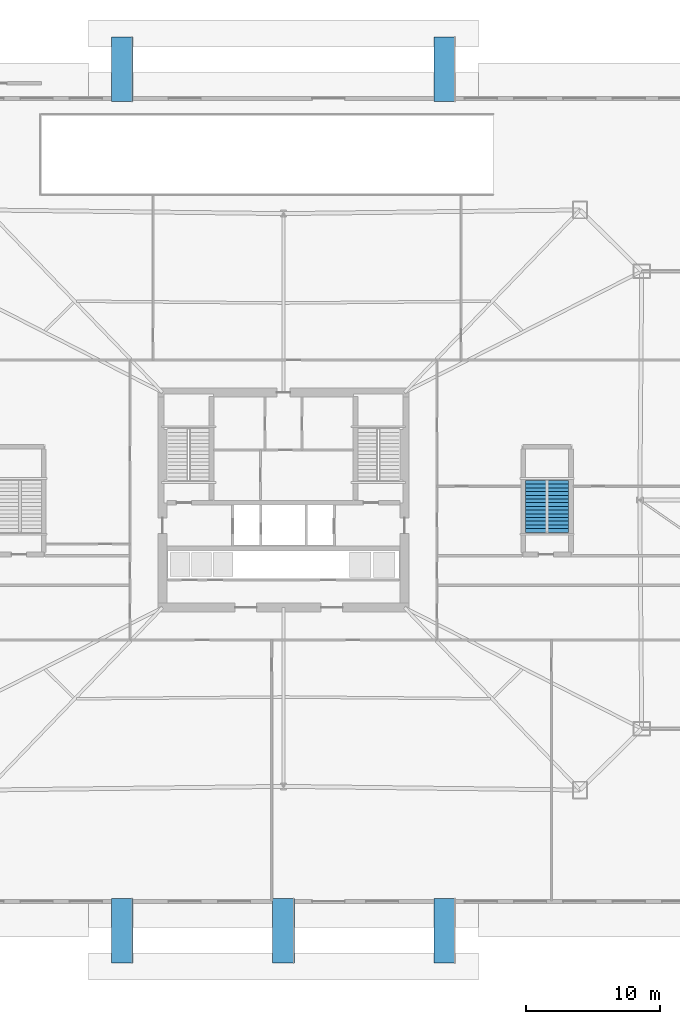
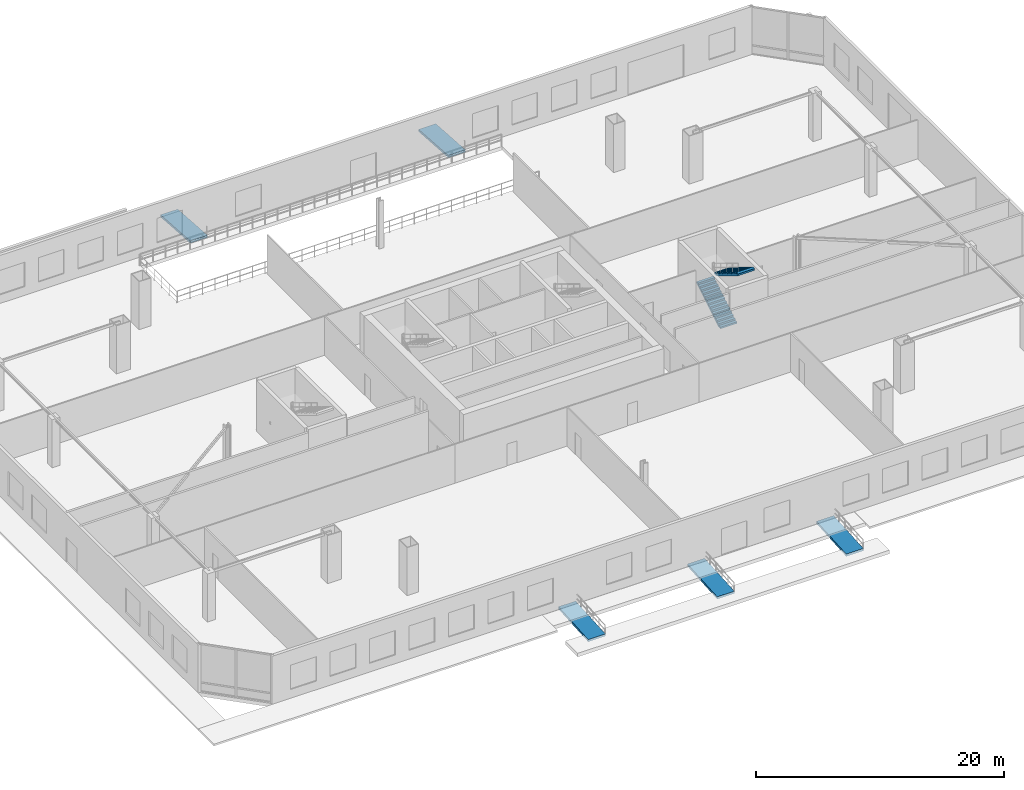
# One storey, part 19 of 23: 5 ramp flights, 2 stair flights, 6 elements without a shape of their own.
"""IFC4 building model written with IfcOpenShell, lengths in metres."""

from ifc_helpers import new_model, si_unit, direction, frame, origin, place, context, subcontext, project, spatial, polyline, outline, extrude, material, layer, layer_set, type_object, element, aggregate, save


model = new_model("IFC4")

# Units and contexts
model_context = context("Model", 3, precision=1e-05, world=origin(), true_north=direction((0.0, 1.0)))
body_context = subcontext(model_context, "Body", "Model", "MODEL_VIEW")
ifc_project = project(units=[si_unit("LENGTHUNIT", "METRE"), si_unit("AREAUNIT", "SQUARE_METRE"), si_unit("VOLUMEUNIT", "CUBIC_METRE"), si_unit("PLANEANGLEUNIT", "RADIAN"), si_unit("MASSUNIT", "GRAM", prefix="KILO")], contexts=[model_context])

# Site, building, storey
site_placement = place(None, origin())
site = spatial("IfcSite", under=ifc_project, at=site_placement, CompositionType="ELEMENT")
building_placement = place(site_placement, origin())
building = spatial("IfcBuilding", under=site, at=building_placement, Name="Caelvoria Tower", CompositionType="ELEMENT")
storey_placement = place(building_placement, origin())
storey = spatial("IfcBuildingStorey", under=building, at=storey_placement, Name="L00", CompositionType="ELEMENT", Elevation=0.0)

# Stair, stair flights
ifc_material_1 = material(Name="Concrete C40/50", Category="concrete")
stair_type = type_object("IfcStairType", Name="Core Smokeproof Dogleg Stair Concrete C40/50", PredefinedType="HALF_TURN_STAIR", material=ifc_material_1)
stair_placement = place(storey_placement, origin())
stair = element("IfcStair", 1, at=stair_placement, inside=storey, type_object=stair_type, Name="ST-04 Smokeproof Exit Stair L00", PredefinedType="HALF_TURN_STAIR")
ifc_material_2 = material(Name="Precast Concrete C40/50", Category="concrete")
stair_flight_type = type_object("IfcStairFlightType", Name="Precast Concrete C40/50 Stair Flight 1480", PredefinedType="STRAIGHT", material=ifc_material_2)
stair_flight_1_placement = place(storey_placement, frame((64.780029296875, 29.60009765625, 0.0), z_axis=(0.0, 0.0, 1.0), x_axis=(0.0, 1.0, 0.0)))
stair_flight_1 = element("IfcStairFlight", 2, at=stair_flight_1_placement, type_object=stair_flight_type, Name="ST-04 flight 1", NumberOfRisers=15, NumberOfTreads=14, PredefinedType="STRAIGHT", RiserHeight=0.1667, TreadLength=0.275, context=body_context, shape_type="SweptSolid", body=[
    extrude(outline(polyline([(0.0, 0.0), (0.0, 0.166748046875), (0.27490234375, 0.166748046875), (0.27490234375, 0.33349609375), (0.550048828125, 0.33349609375), (0.550048828125, 0.5), (0.824951171875, 0.5), (0.824951171875, 0.666748046875), (1.10009765625, 0.666748046875), (1.10009765625, 0.83349609375), (1.375, 0.83349609375), (1.375, 1.000244140625), (1.64990234375, 1.000244140625), (1.64990234375, 1.1669921875), (1.925048828125, 1.1669921875), (1.925048828125, 1.33349609375), (2.199951171875, 1.33349609375), (2.199951171875, 1.500244140625), (2.47509765625, 1.500244140625), (2.47509765625, 1.6669921875), (2.75, 1.6669921875), (2.75, 1.833740234375), (3.02490234375, 1.833740234375), (3.02490234375, 2.00048828125), (3.300048828125, 2.00048828125), (3.300048828125, 2.1669921875), (3.574951171875, 2.1669921875), (3.574951171875, 2.333740234375), (3.85009765625, 2.333740234375), (3.85009765625, 2.50048828125), (3.85009765625, 2.146728515625), (0.30859375, 0.0), (0.0, 0.0)])), frame((0.0, 0.77001953125, 0.0), z_axis=(0.0, -1.0, 0.0), x_axis=(1.0, 0.0, 0.0)), (0.0, 0.0, 1.0), 1.5400390625),
])
stair_flight_2_placement = place(storey_placement, frame((66.419921875, 33.449951171875, 2.5), z_axis=(0.0, 0.0, 1.0), x_axis=(0.0, -1.0, 0.0)))
stair_flight_2 = element("IfcStairFlight", 3, at=stair_flight_2_placement, type_object=stair_flight_type, Name="ST-04 flight 2", NumberOfRisers=15, NumberOfTreads=14, PredefinedType="STRAIGHT", RiserHeight=0.1667, TreadLength=0.275, context=body_context, shape_type="SweptSolid", body=[
    extrude(outline(polyline([(0.0, 0.0), (0.0, 0.166748046875), (0.27490234375, 0.166748046875), (0.27490234375, 0.33349609375), (0.550048828125, 0.33349609375), (0.550048828125, 0.5), (0.824951171875, 0.5), (0.824951171875, 0.666748046875), (1.10009765625, 0.666748046875), (1.10009765625, 0.83349609375), (1.375, 0.83349609375), (1.375, 1.000244140625), (1.64990234375, 1.000244140625), (1.64990234375, 1.1669921875), (1.925048828125, 1.1669921875), (1.925048828125, 1.33349609375), (2.199951171875, 1.33349609375), (2.199951171875, 1.500244140625), (2.47509765625, 1.500244140625), (2.47509765625, 1.6669921875), (2.75, 1.6669921875), (2.75, 1.833740234375), (3.02490234375, 1.833740234375), (3.02490234375, 2.00048828125), (3.300048828125, 2.00048828125), (3.300048828125, 2.1669921875), (3.574951171875, 2.1669921875), (3.574951171875, 2.333740234375), (3.85009765625, 2.333740234375), (3.85009765625, 2.50048828125), (3.85009765625, 2.146728515625), (0.30859375, 0.0), (0.0, 0.0)])), frame((0.0, 0.77001953125, 0.0), z_axis=(0.0, -1.0, 0.0), x_axis=(1.0, 0.0, 0.0)), (0.0, 0.0, 1.0), 1.5400390625),
])
aggregate(stair, [stair_flight_1, stair_flight_2])

# Ramp, ramp flight
ifc_material_3 = material(Name="Concrete C35/45", Category="concrete")
ramp_type = type_object("IfcRampType", Name="Accessible Step-Free Entry Ramp Concrete C35/45", PredefinedType="STRAIGHT_RUN_RAMP", material=ifc_material_3)
ramp_1_placement = place(storey_placement, origin())
ramp_1 = element("IfcRamp", 4, at=ramp_1_placement, inside=storey, type_object=ramp_type, Name="Accessible Plaza Entry Ramp AR-01", PredefinedType="STRAIGHT_RUN_RAMP")
ifc_layer = layer(ifc_material_1, 0.260009765625, Name="Concrete C40/50")
ifc_layer_set = layer_set([ifc_layer], Name="Reinforced Concrete C40/50 Ramp Flight 260 - Concrete C40/50")
ramp_flight_type = type_object("IfcRampFlightType", Name="Reinforced Concrete C40/50 Ramp Flight 260", PredefinedType="STRAIGHT", material=ifc_layer_set)
ramp_flight_1_placement = place(storey_placement, frame((34.0, -2.449951171875, -0.330078125), z_axis=(0.0, 0.0, 1.0), x_axis=(0.0, 1.0, 0.0)))
ramp_flight_1 = element("IfcRampFlight", 5, at=ramp_flight_1_placement, type_object=ramp_flight_type, Name="Accessible Entry Ramp Flight AR-01", PredefinedType="STRAIGHT", context=body_context, shape_type="SweptSolid", body=[
    extrude(outline(polyline([(0.0, 0.0), (4.800048828125, 0.330078125), (4.800048828125, 0.110107421875), (0.0, -0.219970703125), (0.0, 0.0)])), frame((0.0, 0.800048828125, 0.0), z_axis=(0.0, -1.0, 0.0), x_axis=(1.0, 0.0, 0.0)), (0.0, 0.0, 1.0), 1.60009765625),
])
aggregate(ramp_1, [ramp_flight_1])

ramp_2_placement = place(storey_placement, origin())
ramp_2 = element("IfcRamp", 6, at=ramp_2_placement, inside=storey, type_object=ramp_type, Name="Accessible Plaza Entry Ramp AR-02", PredefinedType="STRAIGHT_RUN_RAMP")
ramp_flight_2_placement = place(storey_placement, frame((46.0, -2.449951171875, -0.330078125), z_axis=(0.0, 0.0, 1.0), x_axis=(0.0, 1.0, 0.0)))
ramp_flight_2 = element("IfcRampFlight", 7, at=ramp_flight_2_placement, type_object=ramp_flight_type, Name="Accessible Entry Ramp Flight AR-02", PredefinedType="STRAIGHT", context=body_context, shape_type="SweptSolid", body=[
    extrude(outline(polyline([(0.0, 0.0), (4.800048828125, 0.330078125), (4.800048828125, 0.110107421875), (0.0, -0.219970703125), (0.0, 0.0)])), frame((0.0, 0.800048828125, 0.0), z_axis=(0.0, -1.0, 0.0), x_axis=(1.0, 0.0, 0.0)), (0.0, 0.0, 1.0), 1.60009765625),
])
aggregate(ramp_2, [ramp_flight_2])

ramp_3_placement = place(storey_placement, origin())
ramp_3 = element("IfcRamp", 8, at=ramp_3_placement, inside=storey, type_object=ramp_type, Name="Accessible Plaza Entry Ramp AR-03", PredefinedType="STRAIGHT_RUN_RAMP")
ramp_flight_3_placement = place(storey_placement, frame((58.0, -2.449951171875, -0.330078125), z_axis=(0.0, 0.0, 1.0), x_axis=(0.0, 1.0, 0.0)))
ramp_flight_3 = element("IfcRampFlight", 9, at=ramp_flight_3_placement, type_object=ramp_flight_type, Name="Accessible Entry Ramp Flight AR-03", PredefinedType="STRAIGHT", context=body_context, shape_type="SweptSolid", body=[
    extrude(outline(polyline([(0.0, 0.0), (4.800048828125, 0.330078125), (4.800048828125, 0.110107421875), (0.0, -0.219970703125), (0.0, 0.0)])), frame((0.0, 0.800048828125, 0.0), z_axis=(0.0, -1.0, 0.0), x_axis=(1.0, 0.0, 0.0)), (0.0, 0.0, 1.0), 1.60009765625),
])
aggregate(ramp_3, [ramp_flight_3])

ramp_4_placement = place(storey_placement, origin())
ramp_4 = element("IfcRamp", 10, at=ramp_4_placement, inside=storey, type_object=ramp_type, Name="Accessible Plaza Entry Ramp AR-04", PredefinedType="STRAIGHT_RUN_RAMP")
ramp_flight_4_placement = place(storey_placement, frame((34.0, 66.449951171875, -0.330078125), z_axis=(0.0, 0.0, 1.0), x_axis=(0.0, -1.0, 0.0)))
ramp_flight_4 = element("IfcRampFlight", 11, at=ramp_flight_4_placement, type_object=ramp_flight_type, Name="Accessible Entry Ramp Flight AR-04", PredefinedType="STRAIGHT", context=body_context, shape_type="SweptSolid", body=[
    extrude(outline(polyline([(0.0, 0.0), (4.800048828125, 0.330078125), (4.800048828125, 0.110107421875), (0.0, -0.219970703125), (0.0, 0.0)])), frame((0.0, 0.800048828125, 0.0), z_axis=(0.0, -1.0, 0.0), x_axis=(1.0, 0.0, 0.0)), (0.0, 0.0, 1.0), 1.60009765625),
])
aggregate(ramp_4, [ramp_flight_4])

ramp_5_placement = place(storey_placement, origin())
ramp_5 = element("IfcRamp", 12, at=ramp_5_placement, inside=storey, type_object=ramp_type, Name="Accessible Plaza Entry Ramp AR-05", PredefinedType="STRAIGHT_RUN_RAMP")
ramp_flight_5_placement = place(storey_placement, frame((58.0, 66.449951171875, -0.330078125), z_axis=(0.0, 0.0, 1.0), x_axis=(0.0, -1.0, 0.0)))
ramp_flight_5 = element("IfcRampFlight", 13, at=ramp_flight_5_placement, type_object=ramp_flight_type, Name="Accessible Entry Ramp Flight AR-05", PredefinedType="STRAIGHT", context=body_context, shape_type="SweptSolid", body=[
    extrude(outline(polyline([(0.0, 0.0), (4.800048828125, 0.330078125), (4.800048828125, 0.110107421875), (0.0, -0.219970703125), (0.0, 0.0)])), frame((0.0, 0.800048828125, 0.0), z_axis=(0.0, -1.0, 0.0), x_axis=(1.0, 0.0, 0.0)), (0.0, 0.0, 1.0), 1.60009765625),
])
aggregate(ramp_5, [ramp_flight_5])

save(model, "model.ifc")
